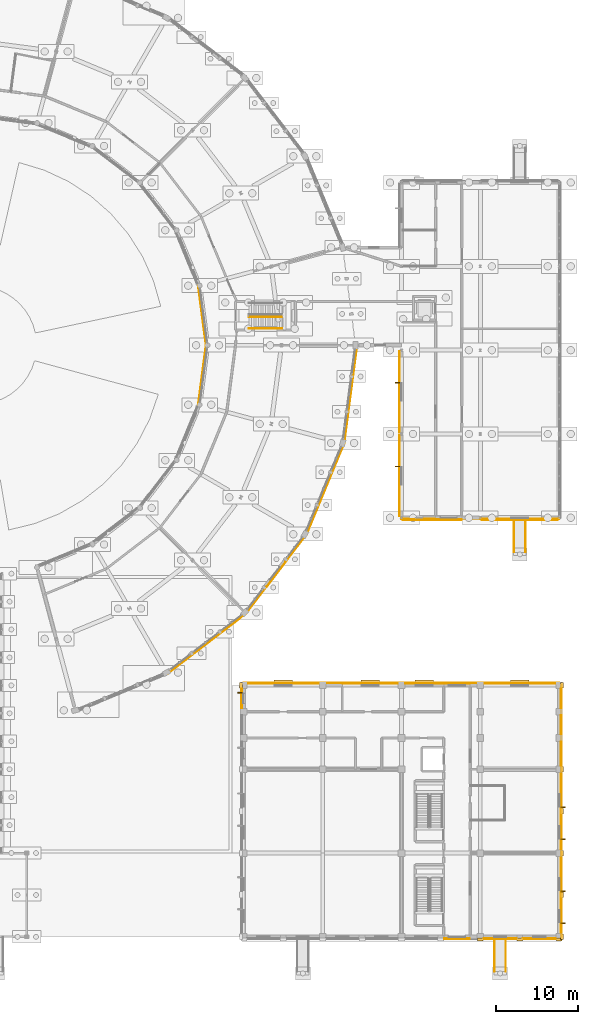
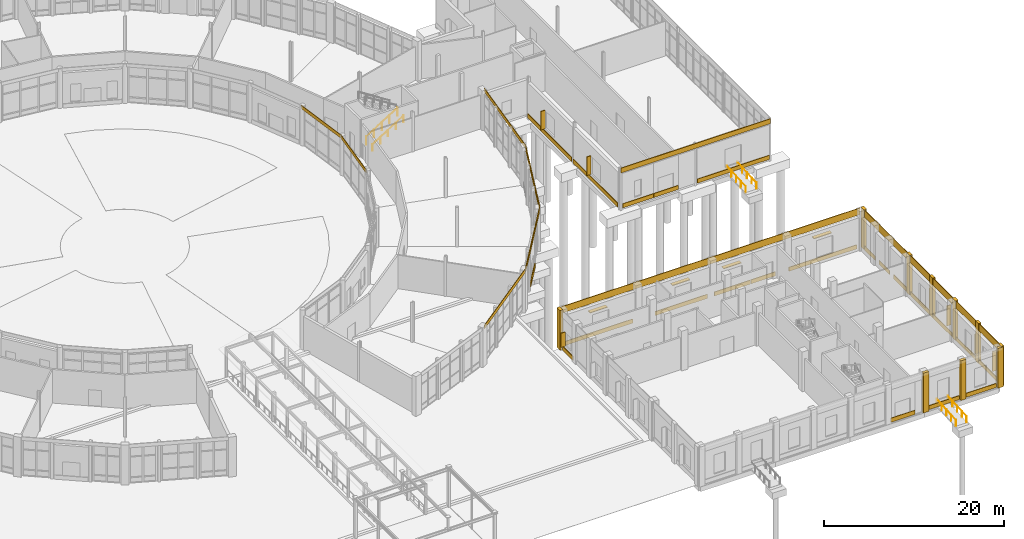
# One storey, part 134 of 137: 39 coverings, 11 shading devices, 6 railings.
"""IFC4 building model written with IfcOpenShell, lengths in metres."""

from ifc_helpers import new_model, si_unit, direction, frame, origin, origin_2d, place, context, subcontext, project, spatial, rectangle, circle, extrude, material, layer, layer_set, type_object, element, save


model = new_model("IFC4")

# Units and contexts
model_context = context("Model", 3, precision=1e-05, world=origin(), true_north=direction((0.0, 1.0)))
body_context = subcontext(model_context, "Body", "Model", "MODEL_VIEW")
ifc_project = project(units=[si_unit("LENGTHUNIT", "METRE"), si_unit("AREAUNIT", "SQUARE_METRE"), si_unit("VOLUMEUNIT", "CUBIC_METRE"), si_unit("PLANEANGLEUNIT", "RADIAN"), si_unit("MASSUNIT", "GRAM", prefix="KILO")], contexts=[model_context])

# Site, building, storey
site_placement = place(None, origin())
site = spatial("IfcSite", under=ifc_project, at=site_placement, CompositionType="ELEMENT")
building_placement = place(site_placement, origin())
building = spatial("IfcBuilding", under=site, at=building_placement, Name="Vondelvale Polytechnic", CompositionType="ELEMENT")
storey_placement = place(building_placement, origin())
storey = spatial("IfcBuildingStorey", under=building, at=storey_placement, Name="L00", CompositionType="ELEMENT", Elevation=0.0)

# Coverings
ifc_material_1 = material(Name="Malmsbury bluestone ashlar stone masonry", Category="masonry")
ifc_layer_1 = layer(ifc_material_1, 0.080078125)
ifc_layer_set_1 = layer_set([ifc_layer_1], Name="COV-BLUESTONE-PLINTH")
covering_type_1 = type_object("IfcCoveringType", Name="COV-BLUESTONE-PLINTH", PredefinedType="CLADDING", material=ifc_layer_set_1)
covering_1_placement = place(storey_placement, frame((173.06005859375, 15.300048828125, 4.43994140625), z_axis=(0.0, 0.0, 1.0), x_axis=(0.0, 1.0, 0.0)))
element("IfcCovering", 1, at=covering_1_placement, inside=storey, type_object=covering_type_1, Name="L00 exterior masonry spandrel band", PredefinedType="CLADDING", context=body_context, shape_type="SweptSolid", body=[
    extrude(rectangle(XDim=30.60009765625, YDim=0.080078125, at=origin_2d()), origin(), (0.0, 0.0, 1.0), 0.9599609375),
])
covering_2_placement = place(storey_placement, frame((153.60009765625, 30.860107421875, 4.5), z_axis=(0.0, 0.0, 1.0), x_axis=(1.0, 0.0, 0.0)))
element("IfcCovering", 2, at=covering_2_placement, inside=storey, type_object=covering_type_1, Name="L00 exterior masonry spandrel band", PredefinedType="CLADDING", context=body_context, shape_type="SweptSolid", body=[
    extrude(rectangle(XDim=38.39990234375, YDim=0.080078125, at=origin_2d()), origin(), (0.0, 0.0, 1.0), 0.89990234375),
])
covering_3_placement = place(storey_placement, frame((160.3505859375, -0.236083984375, 0.0), z_axis=(0.0, 0.0, 1.0), x_axis=(-1.0, 0.0, 0.0)))
element("IfcCovering", 3, at=covering_3_placement, inside=storey, type_object=covering_type_1, Name="L00 exterior corbelled masonry relief band", PredefinedType="CLADDING", context=body_context, shape_type="SweptSolid", body=[
    extrude(rectangle(XDim=3.138916015625, YDim=0.080078125, at=origin_2d()), origin(), (0.0, 0.0, 1.0), 0.550048828125),
])
for number, where, z_axis, x_axis, name in (
    (4, (165.625, -0.236083984375, 0.0), (0.0, 0.0, 1.0), (-1.0, 0.0, 0.0), "L00 exterior corbelled masonry relief band"),
    (5, (170.375, -0.236083984375, 0.0), (0.0, 0.0, 1.0), (-1.0, 0.0, 0.0), "L00 exterior corbelled masonry relief band"),
):
    element("IfcCovering", number, at=place(storey_placement, frame(where, z_axis=z_axis, x_axis=x_axis)), inside=storey, type_object=covering_type_1, Name=name, PredefinedType="CLADDING", context=body_context, shape_type="SweptSolid", body=[
        extrude(rectangle(XDim=3.988037109375, YDim=0.080078125, at=origin_2d()), origin(), (0.0, 0.0, 1.0), 0.550048828125),
    ])
covering_4_placement = place(storey_placement, frame((134.1640625, 29.0, 0.0), z_axis=(0.0, 0.0, 1.0), x_axis=(0.0, 1.0, 0.0)))
element("IfcCovering", 6, at=covering_4_placement, inside=storey, type_object=covering_type_1, Name="L00 exterior corbelled masonry relief band", PredefinedType="CLADDING", context=body_context, shape_type="SweptSolid", body=[
    extrude(rectangle(XDim=2.337890625, YDim=0.080078125, at=origin_2d()), origin(), (0.0, 0.0, 1.0), 0.550048828125),
])
for number, where, z_axis, x_axis, name in (
    (7, (173.035888671875, 5.10009765625, 0.0), (0.0, 0.0, 1.0), (0.0, -1.0, 0.0), "L00 exterior corbelled masonry relief band"),
    (8, (173.035888671875, 15.300048828125, 0.0), (0.0, 0.0, 1.0), (0.0, -1.0, 0.0), "L00 exterior corbelled masonry relief band"),
):
    element("IfcCovering", number, at=place(storey_placement, frame(where, z_axis=z_axis, x_axis=x_axis)), inside=storey, type_object=covering_type_1, Name=name, PredefinedType="CLADDING", context=body_context, shape_type="SweptSolid", body=[
        extrude(rectangle(XDim=9.337890625, YDim=0.080078125, at=origin_2d()), origin(), (0.0, 0.0, 1.0), 0.550048828125),
    ])
for number, where, z_axis, x_axis, name in (
    (9, (173.035888671875, 29.0, 0.0), (0.0, 0.0, 1.0), (0.0, -1.0, 0.0), "L00 exterior corbelled masonry relief band"),
    (10, (173.035888671875, 25.800048828125, 0.0), (0.0, 0.0, 1.0), (0.0, -1.0, 0.0), "L00 exterior corbelled masonry relief band"),
):
    element("IfcCovering", number, at=place(storey_placement, frame(where, z_axis=z_axis, x_axis=x_axis)), inside=storey, type_object=covering_type_1, Name=name, PredefinedType="CLADDING", context=body_context, shape_type="SweptSolid", body=[
        extrude(rectangle(XDim=2.337890625, YDim=0.080078125, at=origin_2d()), origin(), (0.0, 0.0, 1.0), 0.550048828125),
    ])
covering_5_placement = place(storey_placement, frame((173.035888671875, 22.300048828125, 0.0), z_axis=(0.0, 0.0, 1.0), x_axis=(0.0, -1.0, 0.0)))
element("IfcCovering", 11, at=covering_5_placement, inside=storey, type_object=covering_type_1, Name="L00 exterior corbelled masonry relief band", PredefinedType="CLADDING", context=body_context, shape_type="SweptSolid", body=[
    extrude(rectangle(XDim=2.93798828125, YDim=0.080078125, at=origin_2d()), origin(), (0.0, 0.0, 1.0), 0.550048828125),
])
covering_6_placement = place(storey_placement, frame((139.199951171875, 30.8359375, 0.0), z_axis=(0.0, 0.0, 1.0), x_axis=(1.0, 0.0, 0.0)))
element("IfcCovering", 12, at=covering_6_placement, inside=storey, type_object=covering_type_1, Name="L00 exterior corbelled masonry relief band", PredefinedType="CLADDING", context=body_context, shape_type="SweptSolid", body=[
    extrude(rectangle(XDim=8.738037109375, YDim=0.080078125, at=origin_2d()), origin(), (0.0, 0.0, 1.0), 0.550048828125),
])
covering_7_placement = place(storey_placement, frame((149.799560546875, 30.8359375, 0.0), z_axis=(0.0, 0.0, 1.0), x_axis=(1.0, 0.0, 0.0)))
element("IfcCovering", 13, at=covering_7_placement, inside=storey, type_object=covering_type_1, Name="L00 exterior corbelled masonry relief band", PredefinedType="CLADDING", context=body_context, shape_type="SweptSolid", body=[
    extrude(rectangle(XDim=6.739013671875, YDim=0.080078125, at=origin_2d()), origin(), (0.0, 0.0, 1.0), 0.550048828125),
])
covering_8_placement = place(storey_placement, frame((156.37548828125, 30.8359375, 0.0), z_axis=(0.0, 0.0, 1.0), x_axis=(1.0, 0.0, 0.0)))
element("IfcCovering", 14, at=covering_8_placement, inside=storey, type_object=covering_type_1, Name="L00 exterior corbelled masonry relief band", PredefinedType="CLADDING", context=body_context, shape_type="SweptSolid", body=[
    extrude(rectangle(XDim=4.68896484375, YDim=0.080078125, at=origin_2d()), origin(), (0.0, 0.0, 1.0), 0.550048828125),
])
covering_9_placement = place(storey_placement, frame((160.35009765625, 30.8359375, 0.0), z_axis=(0.0, 0.0, 1.0), x_axis=(1.0, 0.0, 0.0)))
element("IfcCovering", 15, at=covering_9_placement, inside=storey, type_object=covering_type_1, Name="L00 exterior corbelled masonry relief band", PredefinedType="CLADDING", context=body_context, shape_type="SweptSolid", body=[
    extrude(rectangle(XDim=3.139892578125, YDim=0.080078125, at=origin_2d()), origin(), (0.0, 0.0, 1.0), 0.550048828125),
])
covering_10_placement = place(storey_placement, frame((168.0, 30.8359375, 0.0), z_axis=(0.0, 0.0, 1.0), x_axis=(1.0, 0.0, 0.0)))
element("IfcCovering", 16, at=covering_10_placement, inside=storey, type_object=covering_type_1, Name="L00 exterior corbelled masonry relief band", PredefinedType="CLADDING", context=body_context, shape_type="SweptSolid", body=[
    extrude(rectangle(XDim=8.738037109375, YDim=0.080078125, at=origin_2d()), origin(), (0.0, 0.0, 1.0), 0.550048828125),
])
covering_11_placement = place(storey_placement, frame((138.349365234375, 44.108154296875, 0.0), z_axis=(0.0, 0.0, 1.0), x_axis=(-0.608761429009, -0.793353340291, 0.0)))
element("IfcCovering", 17, at=covering_11_placement, inside=storey, type_object=covering_type_1, Name="L00 exterior corbelled masonry relief band", PredefinedType="CLADDING", context=body_context, shape_type="SweptSolid", body=[
    extrude(rectangle(XDim=3.81103515625, YDim=0.080078125, at=origin_2d()), origin(), (0.0, 0.0, 1.0), 0.550048828125),
])
covering_12_placement = place(storey_placement, frame((155.740478515625, 50.763916015625, 0.0), z_axis=(0.0, 0.0, 1.0), x_axis=(-1.0, 0.0, 0.0)))
element("IfcCovering", 18, at=covering_12_placement, inside=storey, type_object=covering_type_1, Name="L00 exterior corbelled masonry relief band", PredefinedType="CLADDING", context=body_context, shape_type="SweptSolid", body=[
    extrude(rectangle(XDim=3.958984375, YDim=0.080078125, at=origin_2d()), origin(), (0.0, 0.0, 1.0), 0.550048828125),
])
covering_13_placement = place(storey_placement, frame((159.35009765625, 50.763916015625, 0.0), z_axis=(0.0, 0.0, 1.0), x_axis=(-1.0, 0.0, 0.0)))
element("IfcCovering", 19, at=covering_13_placement, inside=storey, type_object=covering_type_1, Name="L00 exterior corbelled masonry relief band", PredefinedType="CLADDING", context=body_context, shape_type="SweptSolid", body=[
    extrude(rectangle(XDim=3.139892578125, YDim=0.080078125, at=origin_2d()), origin(), (0.0, 0.0, 1.0), 0.550048828125),
])
covering_14_placement = place(storey_placement, frame((168.0, 50.763916015625, 0.0), z_axis=(0.0, 0.0, 1.0), x_axis=(-1.0, 0.0, 0.0)))
element("IfcCovering", 20, at=covering_14_placement, inside=storey, type_object=covering_type_1, Name="L00 exterior corbelled masonry relief band", PredefinedType="CLADDING", context=body_context, shape_type="SweptSolid", body=[
    extrude(rectangle(XDim=9.278076171875, YDim=0.080078125, at=origin_2d()), origin(), (0.0, 0.0, 1.0), 0.550048828125),
])
for number, where, z_axis, x_axis, name in (
    (21, (153.364013671875, 56.10009765625, 0.0), (0.0, 0.0, 1.0), (0.0, 1.0, 0.0), "L00 exterior corbelled masonry relief band"),
    (22, (153.364013671875, 66.300048828125, 0.0), (0.0, 0.0, 1.0), (0.0, 1.0, 0.0), "L00 exterior corbelled masonry relief band"),
):
    element("IfcCovering", number, at=place(storey_placement, frame(where, z_axis=z_axis, x_axis=x_axis)), inside=storey, type_object=covering_type_1, Name=name, PredefinedType="CLADDING", context=body_context, shape_type="SweptSolid", body=[
        extrude(rectangle(XDim=9.8779296875, YDim=0.080078125, at=origin_2d()), origin(), (0.0, 0.0, 1.0), 0.550048828125),
    ])
for number, where, z_axis, x_axis, name in (
    (23, (163.199951171875, -0.340087890625, 0.0), (0.0, 0.0, 1.0), (1.0, 0.0, 0.0), "L00 Lecture wing giant-order pilaster S"),
    (24, (168.0, -0.340087890625, 0.0), (0.0, 0.0, 1.0), (1.0, 0.0, 0.0), "L00 Lecture wing giant-order pilaster S"),
    (25, (172.800048828125, -0.340087890625, 0.0), (0.0, 0.0, 1.0), (1.0, 0.0, 0.0), "L00 Lecture wing giant-order pilaster S"),
):
    element("IfcCovering", number, at=place(storey_placement, frame(where, z_axis=z_axis, x_axis=x_axis)), inside=storey, type_object=covering_type_1, Name=name, PredefinedType="CLADDING", context=body_context, shape_type="SweptSolid", body=[
        extrude(rectangle(XDim=0.679931640625, YDim=0.360107421875, at=origin_2d()), origin(), (0.0, 0.0, 1.0), 5.39990234375),
    ])
for number, where, z_axis, x_axis, name in (
    (26, (173.139892578125, 0.0, 0.0), (0.0, 0.0, 1.0), (1.0, 0.0, 0.0), "L00 Lecture wing giant-order pilaster E"),
    (27, (173.139892578125, 5.10009765625, 0.0), (0.0, 0.0, 1.0), (1.0, 0.0, 0.0), "L00 Lecture wing giant-order pilaster E"),
    (28, (173.139892578125, 10.199951171875, 0.0), (0.0, 0.0, 1.0), (1.0, 0.0, 0.0), "L00 Lecture wing giant-order pilaster E"),
    (29, (173.139892578125, 15.300048828125, 0.0), (0.0, 0.0, 1.0), (1.0, 0.0, 0.0), "L00 Lecture wing giant-order pilaster E"),
    (30, (173.139892578125, 20.39990234375, 0.0), (0.0, 0.0, 1.0), (1.0, 0.0, 0.0), "L00 Lecture wing giant-order pilaster E"),
    (31, (134.06005859375, 30.60009765625, 0.0), (0.0, 0.0, 1.0), (1.0, 0.0, 0.0), "L00 Lecture wing giant-order pilaster W"),
    (32, (173.139892578125, 30.60009765625, 0.0), (0.0, 0.0, 1.0), (1.0, 0.0, 0.0), "L00 Lecture wing giant-order pilaster E"),
):
    element("IfcCovering", number, at=place(storey_placement, frame(where, z_axis=z_axis, x_axis=x_axis)), inside=storey, type_object=covering_type_1, Name=name, PredefinedType="CLADDING", context=body_context, shape_type="SweptSolid", body=[
        extrude(rectangle(XDim=0.360107421875, YDim=0.679931640625, at=origin_2d()), origin(), (0.0, 0.0, 1.0), 5.39990234375),
    ])
ifc_material_2 = material(Name="Amsterdam School iron-spot clinker clay brickwork", Category="masonry")
ifc_layer_2 = layer(ifc_material_2, 0.090087890625)
ifc_layer_set_2 = layer_set([ifc_layer_2], Name="COV-BRICK-RELIEF")
covering_type_2 = type_object("IfcCoveringType", Name="COV-BRICK-RELIEF", PredefinedType="CLADDING", material=ifc_layer_set_2)
covering_15_placement = place(storey_placement, frame((163.199951171875, 50.863037109375, 4.75), z_axis=(0.0, 0.0, 1.0), x_axis=(1.0, 0.0, 0.0)))
element("IfcCovering", 33, at=covering_15_placement, inside=storey, type_object=covering_type_2, Name="L00 exterior masonry spandrel band", PredefinedType="CLADDING", context=body_context, shape_type="SweptSolid", body=[
    extrude(rectangle(XDim=19.199951171875, YDim=0.090087890625, at=origin_2d()), origin(), (0.0, 0.0, 1.0), 0.64990234375),
])
ifc_material_3 = material(Name="Engineered Tasmanian oak studio and bridge joinery")
ifc_layer_3 = layer(ifc_material_3, 0.06494140625)
ifc_layer_set_3 = layer_set([ifc_layer_3], Name="COV-OAK-SPANDREL")
covering_type_3 = type_object("IfcCoveringType", Name="COV-OAK-SPANDREL", PredefinedType="CLADDING", material=ifc_layer_set_3)
covering_16_placement = place(storey_placement, frame((129.353515625, 75.60107421875, 4.9501953125), z_axis=(0.0, 0.0, 1.0), x_axis=(-0.13052619222, 0.991444861374, 0.0)))
element("IfcCovering", 34, at=covering_16_placement, inside=storey, type_object=covering_type_3, Name="L00 exterior masonry spandrel band", PredefinedType="CLADDING", context=body_context, shape_type="SweptSolid", body=[
    extrude(rectangle(XDim=7.309326171875, YDim=0.06494140625, at=origin_2d()), origin(), (0.0, 0.0, 1.0), 0.449951171875),
])
for number, where, z_axis, x_axis, name in (
    (35, (129.8916015625, 35.65087890625, 4.919921875), (0.0, 0.0, 1.0), (0.793353340291, 0.608761429009, 0.0), "L00 exterior masonry spandrel band"),
    (36, (138.34912109375, 44.1083984375, 4.919921875), (0.0, 0.0, 1.0), (0.608761429009, 0.793353340291, 0.0), "L00 exterior masonry spandrel band"),
    (37, (144.32958984375, 54.466552734375, 4.919921875), (0.0, 0.0, 1.0), (0.382683432365, 0.923879532511, 0.0), "L00 exterior masonry spandrel band"),
):
    element("IfcCovering", number, at=place(storey_placement, frame(where, z_axis=z_axis, x_axis=x_axis)), inside=storey, type_object=covering_type_3, Name=name, PredefinedType="CLADDING", context=body_context, shape_type="SweptSolid", body=[
        extrude(rectangle(XDim=12.00830078125, YDim=0.06494140625, at=origin_2d()), origin(), (0.0, 0.0, 1.0), 0.47998046875),
    ])
covering_17_placement = place(storey_placement, frame((129.353515625, 68.39892578125, 4.9501953125), z_axis=(0.0, 0.0, 1.0), x_axis=(0.13052619222, 0.991444861374, 0.0)))
element("IfcCovering", 38, at=covering_17_placement, inside=storey, type_object=covering_type_3, Name="L00 exterior masonry spandrel band", PredefinedType="CLADDING", context=body_context, shape_type="SweptSolid", body=[
    extrude(rectangle(XDim=7.309326171875, YDim=0.06494140625, at=origin_2d()), origin(), (0.0, 0.0, 1.0), 0.449951171875),
])
covering_18_placement = place(storey_placement, frame((147.42529296875, 66.019775390625, 4.919921875), z_axis=(0.0, 0.0, 1.0), x_axis=(0.13052619222, 0.991444861374, 0.0)))
element("IfcCovering", 39, at=covering_18_placement, inside=storey, type_object=covering_type_3, Name="L00 exterior masonry spandrel band", PredefinedType="CLADDING", context=body_context, shape_type="SweptSolid", body=[
    extrude(rectangle(XDim=12.00830078125, YDim=0.06494140625, at=origin_2d()), origin(), (0.0, 0.0, 1.0), 0.47998046875),
])

# Railings
ifc_material_4 = material(Name="Brushed architectural stainless and zinc-coated metal")
ifc_layer_4 = layer(ifc_material_4, 0.050048828125)
ifc_layer_set_4 = layer_set([ifc_layer_4], Name="RL-STAIR-GUARD")
railing_type_1 = type_object("IfcRailingType", Name="RL-STAIR-GUARD", PredefinedType="GUARDRAIL", material=ifc_layer_set_4)
railing_1_placement = place(storey_placement, frame((135.050048828125, 75.449951171875, 0.179931640625)))
element("IfcRailing", 40, at=railing_1_placement, inside=storey, type_object=railing_type_1, Name="L00 ST-08 stair guard 1", PredefinedType="GUARDRAIL", context=body_context, shape_type="SweptSolid", body=[
    extrude(circle(Radius=0.02392578125, at=origin_2d()), frame((0.0, 0.0, 1.076171875), z_axis=(0.845486444383, 0.0, 0.533996884227), x_axis=(0.0, 1.0, 0.0)), (0.0, 0.0, 1.0), 4.71923828125),
    extrude(circle(Radius=0.02099609375, at=origin_2d()), origin(), (0.0, 0.0, 1.0), 1.052001953125),
    extrude(circle(Radius=0.02099609375, at=origin_2d()), frame((0.99755859375, 0.0, 0.6298828125)), (0.0, 0.0, 1.0), 1.052001953125),
    extrude(circle(Radius=0.02099609375, at=origin_2d()), frame((1.9951171875, 0.0, 1.260009765625)), (0.0, 0.0, 1.0), 1.052001953125),
    extrude(circle(Radius=0.02099609375, at=origin_2d()), frame((2.992431640625, 0.0, 1.89013671875)), (0.0, 0.0, 1.0), 1.052001953125),
    extrude(circle(Radius=0.02099609375, at=origin_2d()), frame((3.989990234375, 0.0, 2.52001953125)), (0.0, 0.0, 1.0), 1.052001953125),
])
ifc_layer_5 = layer(ifc_material_4, 0.048095703125)
ifc_layer_set_5 = layer_set([ifc_layer_5], Name="RL-STAIR-HANDRAIL")
railing_type_2 = type_object("IfcRailingType", Name="RL-STAIR-HANDRAIL", PredefinedType="HANDRAIL", material=ifc_layer_set_5)
railing_2_placement = place(storey_placement, frame((135.050048828125, 74.050048828125, 0.179931640625)))
element("IfcRailing", 41, at=railing_2_placement, inside=storey, type_object=railing_type_2, Name="L00 ST-08 stair handrail 1", PredefinedType="HANDRAIL", context=body_context, shape_type="SweptSolid", body=[
    extrude(circle(Radius=0.02392578125, at=origin_2d()), frame((0.0, 0.0, 0.8759765625), z_axis=(0.845486444383, 0.0, 0.533996884227), x_axis=(0.0, 1.0, 0.0)), (0.0, 0.0, 1.0), 4.71923828125),
    extrude(circle(Radius=0.02099609375, at=origin_2d()), origin(), (0.0, 0.0, 1.0), 0.851806640625),
    extrude(circle(Radius=0.02099609375, at=origin_2d()), frame((0.99755859375, 0.0, 0.6298828125)), (0.0, 0.0, 1.0), 0.851806640625),
    extrude(circle(Radius=0.02099609375, at=origin_2d()), frame((1.9951171875, 0.0, 1.260009765625)), (0.0, 0.0, 1.0), 0.851806640625),
    extrude(circle(Radius=0.02099609375, at=origin_2d()), frame((2.992431640625, 0.0, 1.89013671875)), (0.0, 0.0, 1.0), 0.851806640625),
    extrude(circle(Radius=0.02099609375, at=origin_2d()), frame((3.989990234375, 0.0, 2.52001953125)), (0.0, 0.0, 1.0), 0.851806640625),
])
for number, where, name in (
    (42, (164.909912109375, -4.199951171875, -0.280029296875), "Ramp handrail RMP-04-1"),
    (43, (166.2900390625, -4.199951171875, -0.280029296875), "Ramp handrail RMP-04-2"),
    (44, (167.31005859375, 46.800048828125, -0.280029296875), "Ramp handrail RMP-05-1"),
    (45, (168.68994140625, 46.800048828125, -0.280029296875), "Ramp handrail RMP-05-2"),
):
    element("IfcRailing", number, at=place(storey_placement, frame(where)), inside=storey, type_object=railing_type_2, Name=name, PredefinedType="HANDRAIL", context=body_context, shape_type="SweptSolid", body=[
        extrude(circle(Radius=0.02392578125, at=origin_2d()), frame((0.0, 0.0, 0.8759765625), z_axis=(0.0, 0.997784644547, 0.066526709719), x_axis=(-1.0, 0.0, 0.0)), (0.0, 0.0, 1.0), 4.209228515625),
        extrude(circle(Radius=0.02099609375, at=origin_2d()), origin(), (0.0, 0.0, 1.0), 0.851806640625),
        extrude(circle(Radius=0.02099609375, at=origin_2d()), frame((0.0, 1.050048828125, 0.070068359375)), (0.0, 0.0, 1.0), 0.851806640625),
        extrude(circle(Radius=0.02099609375, at=origin_2d()), frame((0.0, 2.10009765625, 0.14013671875)), (0.0, 0.0, 1.0), 0.851806640625),
        extrude(circle(Radius=0.02099609375, at=origin_2d()), frame((0.0, 3.14990234375, 0.2099609375)), (0.0, 0.0, 1.0), 0.851806640625),
        extrude(circle(Radius=0.02099609375, at=origin_2d()), frame((0.0, 4.199951171875, 0.280029296875)), (0.0, 0.0, 1.0), 0.851806640625),
    ])

# Shading devices
ifc_material_5 = material(Name="Anodised extruded aluminium 6063-T6", Category="aluminium")
shading_device_type_1 = type_object("IfcShadingDeviceType", Name="SHD-BRONZE-LOUVRE", PredefinedType="SHUTTER", material=ifc_material_5)
for number, where, z_axis, x_axis, name in (
    (46, (139.199951171875, 31.02490234375, 3.257568359375), (0.0, 0.0, 1.0), (1.0, 0.0, 0.0), "L00 horizontal bronze sun-louvre overhang"),
    (47, (149.799560546875, 31.02490234375, 3.257568359375), (0.0, 0.0, 1.0), (1.0, 0.0, 0.0), "L00 horizontal bronze sun-louvre overhang"),
    (48, (156.37548828125, 31.02490234375, 3.257568359375), (0.0, 0.0, 1.0), (1.0, 0.0, 0.0), "L00 horizontal bronze sun-louvre overhang"),
    (49, (168.0, 31.02490234375, 3.257568359375), (0.0, 0.0, 1.0), (1.0, 0.0, 0.0), "L00 horizontal bronze sun-louvre overhang"),
):
    element("IfcShadingDevice", number, at=place(storey_placement, frame(where, z_axis=z_axis, x_axis=x_axis)), inside=storey, type_object=shading_device_type_1, Name=name, PredefinedType="SHUTTER", context=body_context, shape_type="SweptSolid", body=[
        extrude(rectangle(XDim=2.260009765625, YDim=0.47998046875, at=origin_2d()), origin(), (0.0, 0.0, 1.0), 0.0849609375),
    ])
ifc_material_6 = material(Name="Kiln-fired architectural terracotta", Category="masonry")
shading_device_type_2 = type_object("IfcShadingDeviceType", Name="SHD-TERRA-FIN-550", PredefinedType="JALOUSIE", material=ifc_material_6)
shading_device_placement = place(storey_placement, frame((133.93994140625, 29.68994140625, 0.840087890625), z_axis=(0.0, 0.0, 1.0), x_axis=(0.0, 1.0, 0.0)))
element("IfcShadingDevice", 50, at=shading_device_placement, inside=storey, type_object=shading_device_type_2, Name="L00 vertical terracotta solar fin", PredefinedType="JALOUSIE", context=body_context, shape_type="SweptSolid", body=[
    extrude(rectangle(XDim=0.110107421875, YDim=0.550048828125, at=origin_2d()), origin(), (0.0, 0.0, 1.0), 1.919921875),
])
for number, where, z_axis, x_axis, name in (
    (51, (173.260009765625, 1.660888671875, 0.7900390625), (0.0, 0.0, 1.0), (0.0, -1.0, 0.0), "L00 vertical terracotta solar fin"),
    (52, (173.260009765625, 5.56103515625, 0.7900390625), (0.0, 0.0, 1.0), (0.0, -1.0, 0.0), "L00 vertical terracotta solar fin"),
    (53, (173.260009765625, 11.861083984375, 0.7900390625), (0.0, 0.0, 1.0), (0.0, -1.0, 0.0), "L00 vertical terracotta solar fin"),
    (54, (173.260009765625, 15.760986328125, 0.7900390625), (0.0, 0.0, 1.0), (0.0, -1.0, 0.0), "L00 vertical terracotta solar fin"),
):
    element("IfcShadingDevice", number, at=place(storey_placement, frame(where, z_axis=z_axis, x_axis=x_axis)), inside=storey, type_object=shading_device_type_2, Name=name, PredefinedType="JALOUSIE", context=body_context, shape_type="SweptSolid", body=[
        extrude(rectangle(XDim=0.110107421875, YDim=0.550048828125, at=origin_2d()), origin(), (0.0, 0.0, 1.0), 2.719970703125),
    ])
for number, where, z_axis, x_axis, name in (
    (55, (153.139892578125, 57.239990234375, 0.7900390625), (0.0, 0.0, 1.0), (0.0, 1.0, 0.0), "L00 vertical terracotta solar fin"),
    (56, (153.139892578125, 67.43994140625, 0.7900390625), (0.0, 0.0, 1.0), (0.0, 1.0, 0.0), "L00 vertical terracotta solar fin"),
):
    element("IfcShadingDevice", number, at=place(storey_placement, frame(where, z_axis=z_axis, x_axis=x_axis)), inside=storey, type_object=shading_device_type_2, Name=name, PredefinedType="JALOUSIE", context=body_context, shape_type="SweptSolid", body=[
        extrude(rectangle(XDim=0.110107421875, YDim=0.550048828125, at=origin_2d()), origin(), (0.0, 0.0, 1.0), 2.52001953125),
    ])

save(model, "model.ifc")
